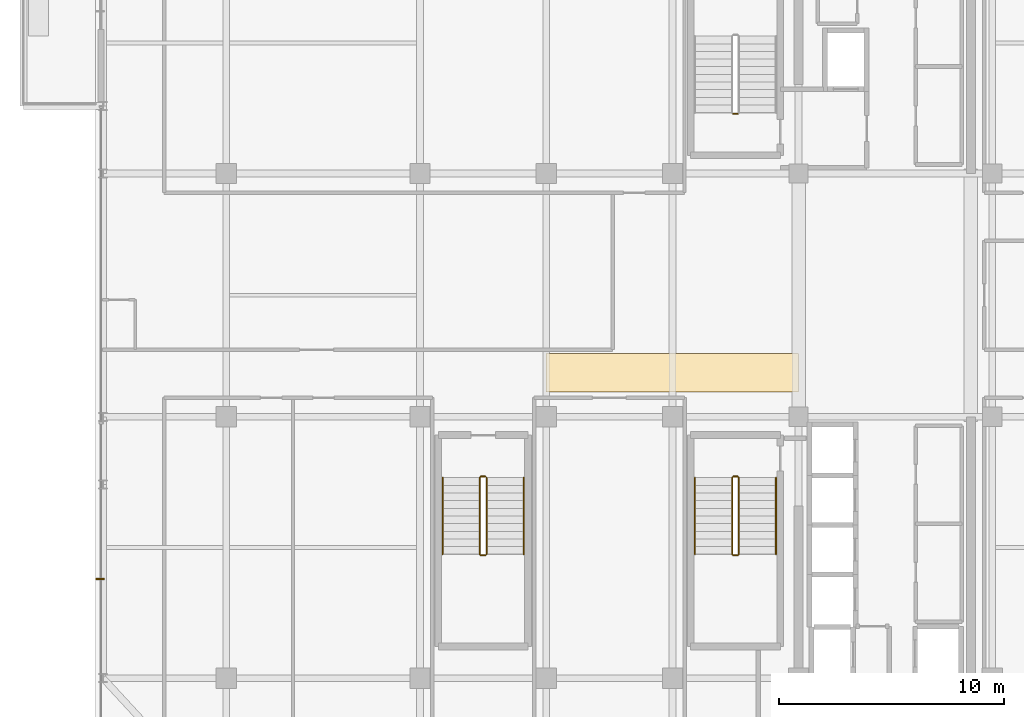
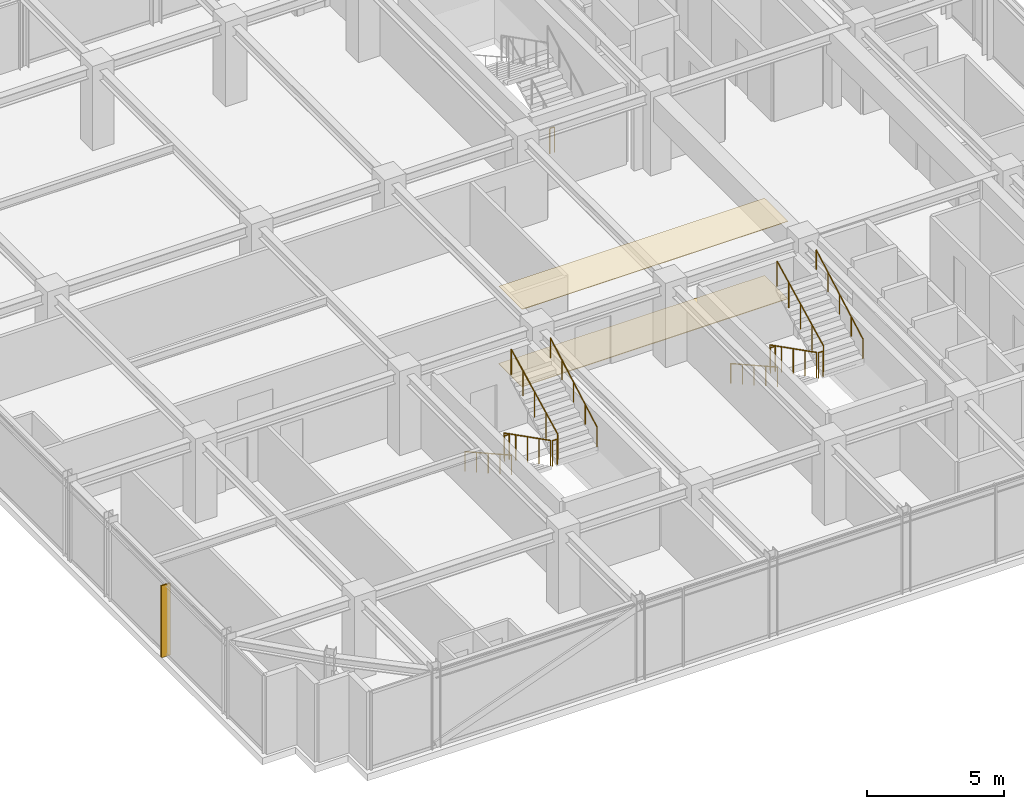
# One storey, part 32 of 34: 13 railings, 2 coverings, 1 shading device.
"""IFC4 building model written with IfcOpenShell, lengths in metres."""

from ifc_helpers import new_model, si_unit, direction, frame, origin, origin_2d, place, context, subcontext, project, spatial, polyline, rectangle, circle, outline, extrude, source, transform, mapped, material, layer, layer_set, type_object, element, save


model = new_model("IFC4")

# Units and contexts
model_context = context("Model", 3, precision=1e-05, world=origin(), true_north=direction((0.0, 1.0)))
body_context = subcontext(model_context, "Body", "Model", "MODEL_VIEW")
ifc_project = project(units=[si_unit("LENGTHUNIT", "METRE"), si_unit("AREAUNIT", "SQUARE_METRE"), si_unit("VOLUMEUNIT", "CUBIC_METRE"), si_unit("PLANEANGLEUNIT", "RADIAN"), si_unit("MASSUNIT", "GRAM", prefix="KILO")], contexts=[model_context])

# Site, building, storey
site_placement = place(None, origin())
site = spatial("IfcSite", under=ifc_project, at=site_placement, CompositionType="ELEMENT")
building_placement = place(site_placement, origin())
building = spatial("IfcBuilding", under=site, at=building_placement, Name="Nahalor Promenade Grand Hotel", CompositionType="ELEMENT")
storey_placement = place(building_placement, frame((0.0, 0.0, 334.75)))
storey = spatial("IfcBuildingStorey", under=building, at=storey_placement, Name="L86", CompositionType="ELEMENT", Elevation=334.75)

# Coverings
ifc_material_1 = material(Name="Acoustic Mineral Gypsum", Category="gypsum")
ifc_layer_1 = layer(ifc_material_1, 0.02490234375)
ifc_layer_set_1 = layer_set([ifc_layer_1], Name="Acoustic Mineral Gypsum")
covering_type_1 = type_object("IfcCoveringType", Name="Acoustic Suspended Ceiling Tile", PredefinedType="CEILING", material=ifc_layer_set_1)
covering_1_placement = place(storey_placement, frame((0.0, 0.0, 3.445068359375)))
element("IfcCovering", 1, at=covering_1_placement, inside=storey, type_object=covering_type_1, Name="CV-CEIL-L86", PredefinedType="CEILING", context=body_context, shape_type="SweptSolid", body=[
    extrude(outline(polyline([(-2.800048828125, -4.300048828125), (8.39990234375, -4.300048828125), (8.39990234375, -2.60009765625), (-2.800048828125, -2.60009765625), (-2.800048828125, -4.300048828125)])), origin(), (0.0, 0.0, 1.0), 0.02490234375),
])
ifc_material_2 = material(Name="Jerusalem Limestone Flooring", Category="masonry")
ifc_layer_2 = layer(ifc_material_2, 0.030029296875)
ifc_layer_set_2 = layer_set([ifc_layer_2], Name="Jerusalem Limestone Flooring")
covering_type_2 = type_object("IfcCoveringType", Name="Honed Limestone Floor Finish", PredefinedType="FLOORING", material=ifc_layer_set_2)
covering_2_placement = place(storey_placement, origin())
element("IfcCovering", 2, at=covering_2_placement, inside=storey, type_object=covering_type_2, Name="CV-FLOR-L86", PredefinedType="FLOORING", context=body_context, shape_type="SweptSolid", body=[
    extrude(outline(polyline([(-2.800048828125, -4.300048828125), (8.39990234375, -4.300048828125), (8.39990234375, -2.60009765625), (-2.800048828125, -2.60009765625), (-2.800048828125, -4.300048828125)])), origin(), (0.0, 0.0, 1.0), 0.030029296875),
])

# Railings
ifc_material_3 = material(Name="Steel S355JR", Category="steel")
railing_type_1 = type_object("IfcRailingType", Name="Steel Stair Guardrail 1150 mm", PredefinedType="GUARDRAIL", material=ifc_material_3)
railing_1_placement = place(storey_placement, frame((5.699951171875, 8.050048828125, 0.0)))
element("IfcRailing", 3, at=railing_1_placement, inside=storey, type_object=railing_type_1, Name="L86 ST1 stair guard 4", PredefinedType="GUARDRAIL", context=body_context, shape_type="SweptSolid", body=[
    extrude(circle(Radius=0.024048, at=origin_2d()), frame((0.0, 0.0, 1.1259765625), z_axis=(-1.0, 0.0, 0.0), x_axis=(0.0, -1.0, 0.0)), (0.0, 0.0, 1.0), 0.199951171875),
    extrude(circle(Radius=0.020996, at=origin_2d()), origin(), (0.0, 0.0, 1.0), 1.099853515625),
    extrude(circle(Radius=0.020996, at=origin_2d()), frame((-0.199951171875, 0.0, 0.0)), (0.0, 0.0, 1.0), 1.099853515625),
])
railing_2_placement = place(storey_placement, frame((5.449951171875, -8.10009765625, 0.172607421875)))
element("IfcRailing", 4, at=railing_2_placement, inside=storey, type_object=railing_type_1, Name="L86 ST2 stair guard 1", PredefinedType="GUARDRAIL", context=body_context, shape_type="SweptSolid", body=[
    extrude(circle(Radius=0.024048, at=origin_2d()), frame((0.0, 0.0, 1.1259765625), z_axis=(0.0, -0.89154070688, 0.452940578858), x_axis=(1.0, 0.0, 0.0)), (0.0, 0.0, 1.0), 3.8134765625),
    extrude(circle(Radius=0.020996, at=origin_2d()), origin(), (0.0, 0.0, 1.0), 1.099853515625),
    extrude(circle(Radius=0.020996, at=origin_2d()), frame((0.0, -0.85009765625, 0.431884765625)), (0.0, 0.0, 1.0), 1.099853515625),
    extrude(circle(Radius=0.020996, at=origin_2d()), frame((0.0, -1.699951171875, 0.86376953125)), (0.0, 0.0, 1.0), 1.099853515625),
    extrude(circle(Radius=0.020996, at=origin_2d()), frame((0.0, -2.5498046875, 1.29541015625)), (0.0, 0.0, 1.0), 1.099853515625),
    extrude(circle(Radius=0.020996, at=origin_2d()), frame((0.0, -3.39990234375, 1.727294921875)), (0.0, 0.0, 1.0), 1.099853515625),
])
railing_3_placement = place(storey_placement, frame((5.5, -11.550048828125, 1.89990234375)))
element("IfcRailing", 5, at=railing_3_placement, inside=storey, type_object=railing_type_1, Name="L86 ST2 stair guard 2", PredefinedType="GUARDRAIL", context=body_context, shape_type="SweptSolid", body=[
    extrude(circle(Radius=0.024048, at=origin_2d()), frame((0.0, 0.0, 1.1259765625), z_axis=(1.0, 0.0, 0.0), x_axis=(0.0, 1.0, 0.0)), (0.0, 0.0, 1.0), 0.199951171875),
    extrude(circle(Radius=0.020996, at=origin_2d()), origin(), (0.0, 0.0, 1.0), 1.099853515625),
    extrude(circle(Radius=0.020996, at=origin_2d()), frame((0.199951171875, 0.0, 0.0)), (0.0, 0.0, 1.0), 1.099853515625),
])
railing_4_placement = place(storey_placement, frame((5.75, -11.5, 2.07275390625)))
element("IfcRailing", 6, at=railing_4_placement, inside=storey, type_object=railing_type_1, Name="L86 ST2 stair guard 3", PredefinedType="GUARDRAIL", context=body_context, shape_type="SweptSolid", body=[
    extrude(circle(Radius=0.024048, at=origin_2d()), frame((0.0, 0.0, 1.1259765625), z_axis=(0.0, 0.89154070688, 0.452940578858), x_axis=(-1.0, 0.0, 0.0)), (0.0, 0.0, 1.0), 3.8134765625),
    extrude(circle(Radius=0.020996, at=origin_2d()), origin(), (0.0, 0.0, 1.0), 1.099853515625),
    extrude(circle(Radius=0.020996, at=origin_2d()), frame((0.0, 0.85009765625, 0.431884765625)), (0.0, 0.0, 1.0), 1.099853515625),
    extrude(circle(Radius=0.020996, at=origin_2d()), frame((0.0, 1.699951171875, 0.86376953125)), (0.0, 0.0, 1.0), 1.099853515625),
    extrude(circle(Radius=0.020996, at=origin_2d()), frame((0.0, 2.5498046875, 1.29541015625)), (0.0, 0.0, 1.0), 1.099853515625),
    extrude(circle(Radius=0.020996, at=origin_2d()), frame((0.0, 3.39990234375, 1.727294921875)), (0.0, 0.0, 1.0), 1.099853515625),
])
railing_5_placement = place(storey_placement, frame((5.5, -8.050048828125, 0.0)))
element("IfcRailing", 7, at=railing_5_placement, inside=storey, type_object=railing_type_1, Name="L86 ST2 stair guard 4", PredefinedType="GUARDRAIL", context=body_context, shape_type="SweptSolid", body=[
    extrude(circle(Radius=0.024048, at=origin_2d()), frame((0.0, 0.0, 1.1259765625), z_axis=(1.0, 0.0, 0.0), x_axis=(0.0, 1.0, 0.0)), (0.0, 0.0, 1.0), 0.199951171875),
    extrude(circle(Radius=0.020996, at=origin_2d()), origin(), (0.0, 0.0, 1.0), 1.099853515625),
    extrude(circle(Radius=0.020996, at=origin_2d()), frame((0.199951171875, 0.0, 0.0)), (0.0, 0.0, 1.0), 1.099853515625),
])
railing_6_placement = place(storey_placement, frame((-5.75, -8.10009765625, 0.172607421875)))
element("IfcRailing", 8, at=railing_6_placement, inside=storey, type_object=railing_type_1, Name="L86 ST3 stair guard 1", PredefinedType="GUARDRAIL", context=body_context, shape_type="SweptSolid", body=[
    extrude(circle(Radius=0.024048, at=origin_2d()), frame((0.0, 0.0, 1.1259765625), z_axis=(0.0, -0.89154070688, 0.452940578858), x_axis=(1.0, 0.0, 0.0)), (0.0, 0.0, 1.0), 3.8134765625),
    extrude(circle(Radius=0.020996, at=origin_2d()), origin(), (0.0, 0.0, 1.0), 1.099853515625),
    extrude(circle(Radius=0.020996, at=origin_2d()), frame((0.0, -0.85009765625, 0.431884765625)), (0.0, 0.0, 1.0), 1.099853515625),
    extrude(circle(Radius=0.020996, at=origin_2d()), frame((0.0, -1.699951171875, 0.86376953125)), (0.0, 0.0, 1.0), 1.099853515625),
    extrude(circle(Radius=0.020996, at=origin_2d()), frame((0.0, -2.5498046875, 1.29541015625)), (0.0, 0.0, 1.0), 1.099853515625),
    extrude(circle(Radius=0.020996, at=origin_2d()), frame((0.0, -3.39990234375, 1.727294921875)), (0.0, 0.0, 1.0), 1.099853515625),
])
railing_7_placement = place(storey_placement, frame((-5.699951171875, -11.550048828125, 1.89990234375)))
element("IfcRailing", 9, at=railing_7_placement, inside=storey, type_object=railing_type_1, Name="L86 ST3 stair guard 2", PredefinedType="GUARDRAIL", context=body_context, shape_type="SweptSolid", body=[
    extrude(circle(Radius=0.024048, at=origin_2d()), frame((0.0, 0.0, 1.1259765625), z_axis=(1.0, 0.0, 0.0), x_axis=(0.0, 1.0, 0.0)), (0.0, 0.0, 1.0), 0.199951171875),
    extrude(circle(Radius=0.020996, at=origin_2d()), origin(), (0.0, 0.0, 1.0), 1.099853515625),
    extrude(circle(Radius=0.020996, at=origin_2d()), frame((0.199951171875, 0.0, 0.0)), (0.0, 0.0, 1.0), 1.099853515625),
])
railing_8_placement = place(storey_placement, frame((-5.449951171875, -11.5, 2.07275390625)))
element("IfcRailing", 10, at=railing_8_placement, inside=storey, type_object=railing_type_1, Name="L86 ST3 stair guard 3", PredefinedType="GUARDRAIL", context=body_context, shape_type="SweptSolid", body=[
    extrude(circle(Radius=0.024048, at=origin_2d()), frame((0.0, 0.0, 1.1259765625), z_axis=(0.0, 0.89154070688, 0.452940578858), x_axis=(-1.0, 0.0, 0.0)), (0.0, 0.0, 1.0), 3.8134765625),
    extrude(circle(Radius=0.020996, at=origin_2d()), origin(), (0.0, 0.0, 1.0), 1.099853515625),
    extrude(circle(Radius=0.020996, at=origin_2d()), frame((0.0, 0.85009765625, 0.431884765625)), (0.0, 0.0, 1.0), 1.099853515625),
    extrude(circle(Radius=0.020996, at=origin_2d()), frame((0.0, 1.699951171875, 0.86376953125)), (0.0, 0.0, 1.0), 1.099853515625),
    extrude(circle(Radius=0.020996, at=origin_2d()), frame((0.0, 2.5498046875, 1.29541015625)), (0.0, 0.0, 1.0), 1.099853515625),
    extrude(circle(Radius=0.020996, at=origin_2d()), frame((0.0, 3.39990234375, 1.727294921875)), (0.0, 0.0, 1.0), 1.099853515625),
])
railing_9_placement = place(storey_placement, frame((-5.699951171875, -8.050048828125, 0.0)))
element("IfcRailing", 11, at=railing_9_placement, inside=storey, type_object=railing_type_1, Name="L86 ST3 stair guard 4", PredefinedType="GUARDRAIL", context=body_context, shape_type="SweptSolid", body=[
    extrude(circle(Radius=0.024048, at=origin_2d()), frame((0.0, 0.0, 1.1259765625), z_axis=(1.0, 0.0, 0.0), x_axis=(0.0, 1.0, 0.0)), (0.0, 0.0, 1.0), 0.199951171875),
    extrude(circle(Radius=0.020996, at=origin_2d()), origin(), (0.0, 0.0, 1.0), 1.099853515625),
    extrude(circle(Radius=0.020996, at=origin_2d()), frame((0.199951171875, 0.0, 0.0)), (0.0, 0.0, 1.0), 1.099853515625),
])
railing_type_2 = type_object("IfcRailingType", Name="Steel Stair Handrail 900 mm", PredefinedType="HANDRAIL", material=ifc_material_3)
railing_10_placement = place(storey_placement, frame((3.800048828125, -8.10009765625, 0.172607421875)))
element("IfcRailing", 12, at=railing_10_placement, inside=storey, type_object=railing_type_2, Name="L86 ST2 stair handrail 1", PredefinedType="HANDRAIL", context=body_context, shape_type="SweptSolid", body=[
    extrude(circle(Radius=0.024048, at=origin_2d()), frame((0.0, 0.0, 0.8759765625), z_axis=(0.0, -0.872921498864, 0.487860694073), x_axis=(1.0, 0.0, 0.0)), (0.0, 0.0, 1.0), 3.894775390625),
    extrude(circle(Radius=0.020996, at=origin_2d()), origin(), (0.0, 0.0, 1.0), 0.849853515625),
    extrude(circle(Radius=0.020996, at=origin_2d()), frame((0.0, -0.85009765625, 0.47509765625)), (0.0, 0.0, 1.0), 0.849853515625),
    extrude(circle(Radius=0.020996, at=origin_2d()), frame((0.0, -1.699951171875, 0.9501953125)), (0.0, 0.0, 1.0), 0.849853515625),
    extrude(circle(Radius=0.020996, at=origin_2d()), frame((0.0, -2.5498046875, 1.425048828125)), (0.0, 0.0, 1.0), 0.849853515625),
    extrude(circle(Radius=0.020996, at=origin_2d()), frame((0.0, -3.39990234375, 1.900146484375)), (0.0, 0.0, 1.0), 0.849853515625),
])
railing_11_placement = place(storey_placement, frame((7.39990234375, -11.5, 2.07275390625)))
element("IfcRailing", 13, at=railing_11_placement, inside=storey, type_object=railing_type_2, Name="L86 ST2 stair handrail 2", PredefinedType="HANDRAIL", context=body_context, shape_type="SweptSolid", body=[
    extrude(circle(Radius=0.024048, at=origin_2d()), frame((0.0, 0.0, 0.8759765625), z_axis=(0.0, 0.872948192752, 0.487812928048), x_axis=(-1.0, 0.0, 0.0)), (0.0, 0.0, 1.0), 3.894775390625),
    extrude(circle(Radius=0.020996, at=origin_2d()), origin(), (0.0, 0.0, 1.0), 0.849853515625),
    extrude(circle(Radius=0.020996, at=origin_2d()), frame((0.0, 0.85009765625, 0.47509765625)), (0.0, 0.0, 1.0), 0.849853515625),
    extrude(circle(Radius=0.020996, at=origin_2d()), frame((0.0, 1.699951171875, 0.949951171875)), (0.0, 0.0, 1.0), 0.849853515625),
    extrude(circle(Radius=0.020996, at=origin_2d()), frame((0.0, 2.5498046875, 1.4248046875)), (0.0, 0.0, 1.0), 0.849853515625),
    extrude(circle(Radius=0.020996, at=origin_2d()), frame((0.0, 3.39990234375, 1.89990234375)), (0.0, 0.0, 1.0), 0.849853515625),
])
railing_12_placement = place(storey_placement, frame((-7.39990234375, -8.10009765625, 0.172607421875)))
element("IfcRailing", 14, at=railing_12_placement, inside=storey, type_object=railing_type_2, Name="L86 ST3 stair handrail 1", PredefinedType="HANDRAIL", context=body_context, shape_type="SweptSolid", body=[
    extrude(circle(Radius=0.024048, at=origin_2d()), frame((0.0, 0.0, 0.8759765625), z_axis=(0.0, -0.872921498864, 0.487860694073), x_axis=(1.0, 0.0, 0.0)), (0.0, 0.0, 1.0), 3.894775390625),
    extrude(circle(Radius=0.020996, at=origin_2d()), origin(), (0.0, 0.0, 1.0), 0.849853515625),
    extrude(circle(Radius=0.020996, at=origin_2d()), frame((0.0, -0.85009765625, 0.47509765625)), (0.0, 0.0, 1.0), 0.849853515625),
    extrude(circle(Radius=0.020996, at=origin_2d()), frame((0.0, -1.699951171875, 0.9501953125)), (0.0, 0.0, 1.0), 0.849853515625),
    extrude(circle(Radius=0.020996, at=origin_2d()), frame((0.0, -2.5498046875, 1.425048828125)), (0.0, 0.0, 1.0), 0.849853515625),
    extrude(circle(Radius=0.020996, at=origin_2d()), frame((0.0, -3.39990234375, 1.900146484375)), (0.0, 0.0, 1.0), 0.849853515625),
])
railing_13_placement = place(storey_placement, frame((-3.800048828125, -11.5, 2.07275390625)))
element("IfcRailing", 15, at=railing_13_placement, inside=storey, type_object=railing_type_2, Name="L86 ST3 stair handrail 2", PredefinedType="HANDRAIL", context=body_context, shape_type="SweptSolid", body=[
    extrude(circle(Radius=0.024048, at=origin_2d()), frame((0.0, 0.0, 0.8759765625), z_axis=(0.0, 0.872948192752, 0.487812928048), x_axis=(-1.0, 0.0, 0.0)), (0.0, 0.0, 1.0), 3.894775390625),
    extrude(circle(Radius=0.020996, at=origin_2d()), origin(), (0.0, 0.0, 1.0), 0.849853515625),
    extrude(circle(Radius=0.020996, at=origin_2d()), frame((0.0, 0.85009765625, 0.47509765625)), (0.0, 0.0, 1.0), 0.849853515625),
    extrude(circle(Radius=0.020996, at=origin_2d()), frame((0.0, 1.699951171875, 0.949951171875)), (0.0, 0.0, 1.0), 0.849853515625),
    extrude(circle(Radius=0.020996, at=origin_2d()), frame((0.0, 2.5498046875, 1.4248046875)), (0.0, 0.0, 1.0), 0.849853515625),
    extrude(circle(Radius=0.020996, at=origin_2d()), frame((0.0, 3.39990234375, 1.89990234375)), (0.0, 0.0, 1.0), 0.849853515625),
])

# Shading device
ifc_material_4 = material(Name="Anodised Bronze Aluminium EN AW-6063 T6", Category="aluminium")
ifc_layer_3 = layer(ifc_material_4, 0.06005859375)
ifc_layer_set_3 = layer_set([ifc_layer_3], Name="Anodised Bronze Aluminium EN AW-6063 T6")
shading_device_type = type_object("IfcShadingDeviceType", Name="Shade-SolarFin-Bronze", PredefinedType="JALOUSIE", material=ifc_layer_set_3)
shared_shape = source(origin(), body_context, "Body", "SweptSolid", [
    extrude(rectangle(XDim=0.3798828125, YDim=0.06005859375, at=origin_2d()), origin(), (0.0, 0.0, 1.0), 3.199951171875),
])
shading_device_placement = place(storey_placement, frame((-22.610107421875, -12.60009765625, 0.0), z_axis=(0.0, 0.0, 1.0), x_axis=(1.0, 0.0, 0.0)))
element("IfcShadingDevice", 16, at=shading_device_placement, inside=storey, type_object=shading_device_type, Name="JAL-L86-W1", PredefinedType="JALOUSIE", context=body_context, shape_type="MappedRepresentation", body=[
    mapped(shared_shape, transform((0.0, 0.0, 0.0), scale=1.0)),
])

save(model, "model.ifc")
